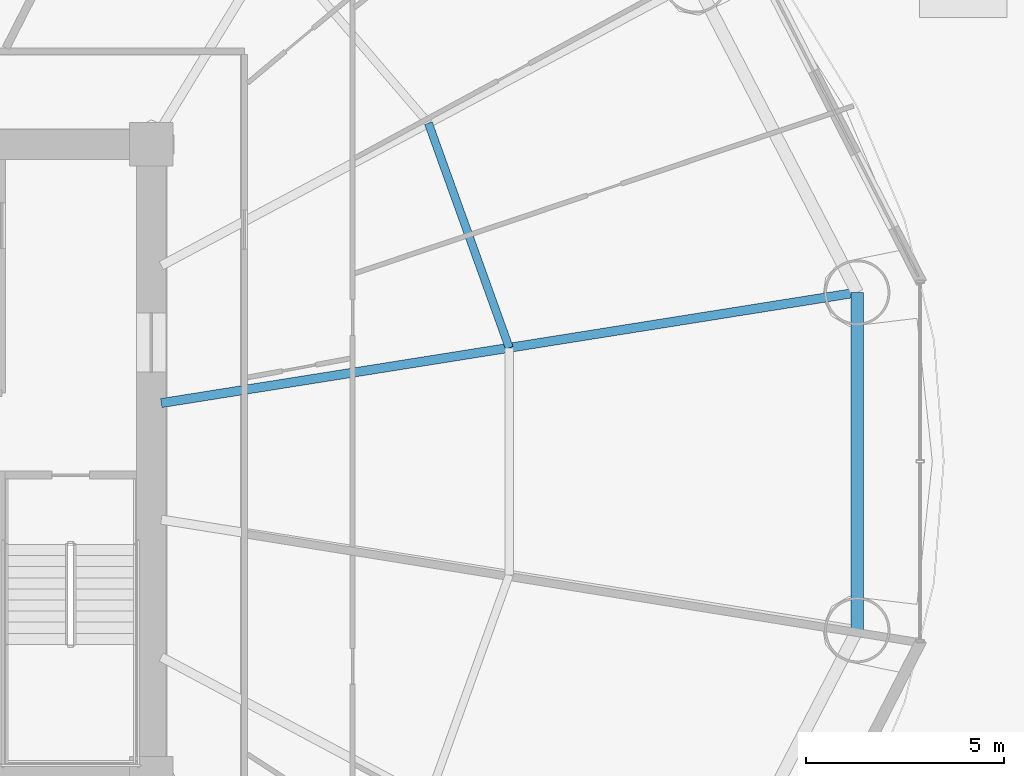
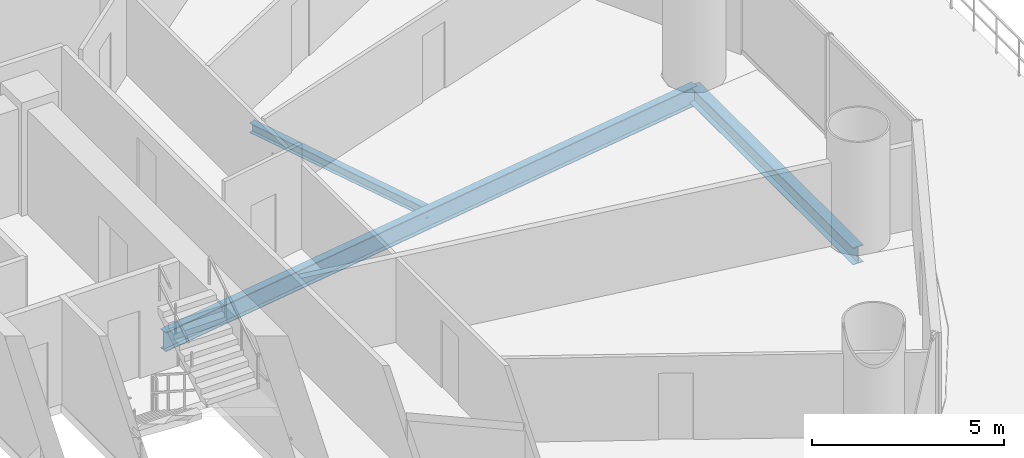
# One storey, part 18 of 37: 3 beams.
"""IFC4 building model written with IfcOpenShell, lengths in metres."""

from ifc_helpers import new_model, si_unit, direction, frame, origin, origin_2d, place, context, subcontext, project, spatial, i_section, extrude, material, material_profile, profile_set, type_object, element, save


model = new_model("IFC4")

# Units and contexts
model_context = context("Model", 3, precision=1e-05, world=origin(), true_north=direction((-0.2419218956, 0.970295726276)))
body_context = subcontext(model_context, "Body", "Model", "MODEL_VIEW")
ifc_project = project(units=[si_unit("LENGTHUNIT", "METRE"), si_unit("AREAUNIT", "SQUARE_METRE"), si_unit("VOLUMEUNIT", "CUBIC_METRE"), si_unit("PLANEANGLEUNIT", "RADIAN"), si_unit("MASSUNIT", "GRAM", prefix="KILO")], contexts=[model_context])

# Site, building, storey
site_placement = place(None, origin())
site = spatial("IfcSite", under=ifc_project, at=site_placement, CompositionType="ELEMENT")
building_placement = place(site_placement, origin())
building = spatial("IfcBuilding", under=site, at=building_placement, Name="Cobrevalo Terracotta Tower", CompositionType="ELEMENT")
storey_placement = place(building_placement, frame((0.0, 0.0, 24.0)))
storey = spatial("IfcBuildingStorey", under=building, at=storey_placement, Name="L05", CompositionType="ELEMENT", Elevation=24.0)

# Beams
ifc_material = material(Name="Steel S355", Category="steel")
ifc_material_profile_1 = material_profile(ifc_material, i_section(OverallWidth=0.22998046875, OverallDepth=0.616943359375, WebThickness=0.01318359375, FlangeThickness=0.022216796875, at=origin_2d()), Name="W 610x140")
ifc_profile_set_1 = profile_set([ifc_material_profile_1], Name="Steel S355")
beam_type_1 = type_object("IfcBeamType", Name="Structural Beam W 610x140 (Steel S355)", PredefinedType="BEAM", material=ifc_profile_set_1)
beam_1_placement = place(storey_placement, frame((64.824462890625, 31.062744140625, -0.58837890625), z_axis=(-0.987607924622, -0.156941349628, 0.0), x_axis=(0.156941349628, -0.987607924622, 0.0)))
element("IfcBeam", 1, at=beam_1_placement, inside=storey, type_object=beam_type_1, Name="L05 radial floor girder 01", PredefinedType="BEAM", context=body_context, shape_type="SweptSolid", body=[
    extrude(i_section(OverallWidth=0.22998046875, OverallDepth=0.616943359375, WebThickness=0.01318359375, FlangeThickness=0.022216796875, at=origin_2d()), origin(), (0.0, 0.0, 1.0), 17.7900390625),
])
ifc_material_profile_2 = material_profile(ifc_material, i_section(OverallWidth=0.2041015625, OverallDepth=0.305908203125, WebThickness=0.008544921875, FlangeThickness=0.0146484375, at=origin_2d()), Name="W 310x67")
ifc_profile_set_2 = profile_set([ifc_material_profile_2], Name="Steel S355")
beam_type_2 = type_object("IfcBeamType", Name="Structural Joist W 310x67 (Steel S355)", PredefinedType="JOIST", material=ifc_profile_set_2)
beam_2_placement = place(storey_placement, frame((56.039794921875, 29.666748046875, -0.43310546875), z_axis=(-0.338672151116, 0.940904444701, 0.0), x_axis=(-0.940904444701, -0.338672151116, 0.0)))
element("IfcBeam", 2, at=beam_2_placement, inside=storey, type_object=beam_type_2, Name="L05 circumferential secondary floor joist 01", PredefinedType="JOIST", context=body_context, shape_type="SweptSolid", body=[
    extrude(i_section(OverallWidth=0.2041015625, OverallDepth=0.305908203125, WebThickness=0.008544921875, FlangeThickness=0.0146484375, at=origin_2d()), origin(), (0.0, 0.0, 1.0), 6.029296875),
])
ifc_material_profile_3 = material_profile(ifc_material, i_section(OverallWidth=0.31201171875, OverallDepth=0.54296875, WebThickness=0.0126953125, FlangeThickness=0.020263671875, at=origin_2d()), Name="W 530x150")
ifc_profile_set_3 = profile_set([ifc_material_profile_3], Name="Steel S355")
beam_type_3 = type_object("IfcBeamType", Name="Structural Spandrel W 530x150 (Steel S355)", PredefinedType="SPANDREL", material=ifc_profile_set_3)
beam_3_placement = place(storey_placement, frame((64.824462890625, 22.537353515625, -0.551513671875), z_axis=(0.0, 1.0, 0.0), x_axis=(-1.0, 0.0, 0.0)))
element("IfcBeam", 3, at=beam_3_placement, inside=storey, type_object=beam_type_3, Name="L05 perimeter ring spandrel 16", PredefinedType="SPANDREL", context=body_context, shape_type="SweptSolid", body=[
    extrude(i_section(OverallWidth=0.31201171875, OverallDepth=0.54296875, WebThickness=0.0126953125, FlangeThickness=0.020263671875, at=origin_2d()), origin(), (0.0, 0.0, 1.0), 8.525390625),
])

save(model, "model.ifc")
